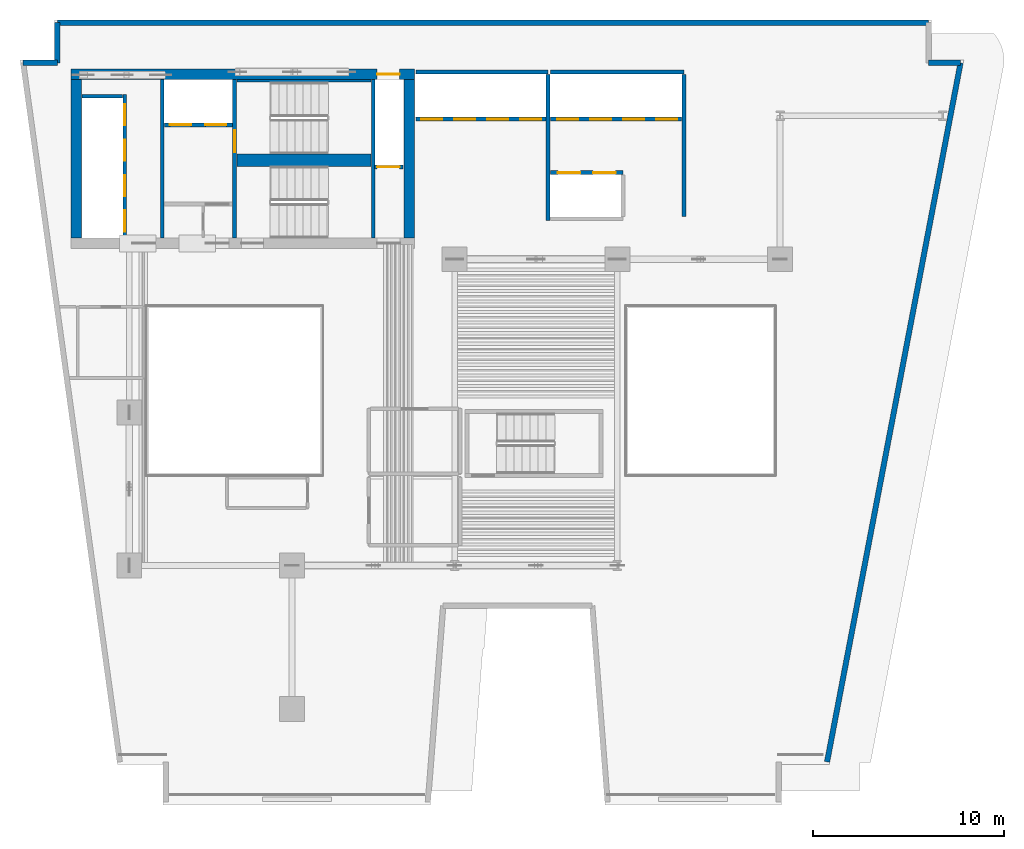
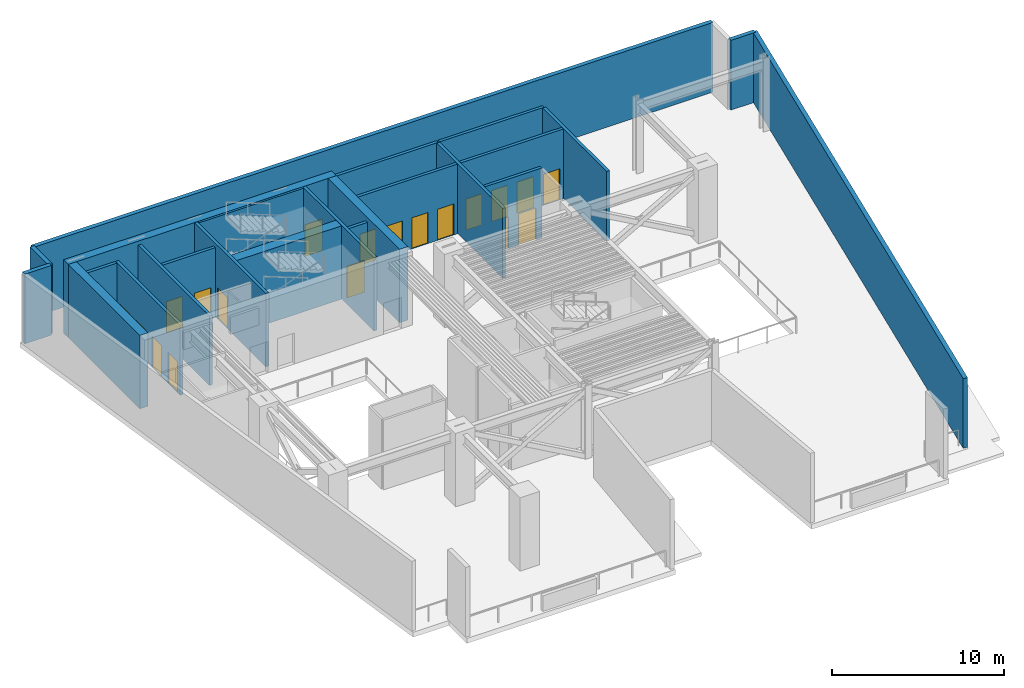
# One storey, part 4 of 8: 24 walls, 19 doors, 19 openings.
"""IFC4 building model written with IfcOpenShell, lengths in metres."""

from ifc_helpers import new_model, si_unit, direction, frame, frame_2d, origin, place, context, subcontext, project, spatial, rectangle, extrude, material, layer, layer_set, type_object, element, fill, save


model = new_model("IFC4")

# Units and contexts
model_context = context("Model", 3, precision=1e-05, world=origin(), true_north=direction((0.0, 1.0)))
body_context = subcontext(model_context, "Body", "Model", "MODEL_VIEW")
ifc_project = project(units=[si_unit("LENGTHUNIT", "METRE"), si_unit("AREAUNIT", "SQUARE_METRE"), si_unit("VOLUMEUNIT", "CUBIC_METRE"), si_unit("PLANEANGLEUNIT", "RADIAN"), si_unit("MASSUNIT", "GRAM", prefix="KILO")], contexts=[model_context])

# Site, building, storey
site_placement = place(None, origin())
site = spatial("IfcSite", under=ifc_project, at=site_placement, CompositionType="ELEMENT")
building_placement = place(site_placement, origin())
building = spatial("IfcBuilding", under=site, at=building_placement, Name="Caeloran Harvest Quay", CompositionType="ELEMENT")
storey_placement = place(building_placement, frame((0.0, 0.0, 106.199951171875)))
storey = spatial("IfcBuildingStorey", under=building, at=storey_placement, Name="L24", CompositionType="ELEMENT", Elevation=106.199951171875)

# Walls
ifc_material_1 = material(Name="Precast concrete C50/60", Category="concrete")
ifc_layer_1 = layer(ifc_material_1, 0.280029296875, Name="Precast concrete C50/60")
ifc_layer_set_1 = layer_set([ifc_layer_1], Name="Precast concrete C50/60")
wall_type_1 = type_object("IfcWallType", Name="ENV-WALL-EW-280", PredefinedType="STANDARD", material=ifc_layer_set_1)
wall_1_placement = place(storey_placement, frame((2.951171875, 41.260009765625, 0.0), z_axis=(0.0, 0.0, 1.0), x_axis=(1.0, 0.0, 0.0)))
element("IfcWall", 1, at=wall_1_placement, inside=storey, type_object=wall_type_1, Name="L24 Exterior Precast Concrete Facade Wall 4", PredefinedType="STANDARD", context=body_context, shape_type="SweptSolid", body=[
    extrude(rectangle(XDim=1.788818359375, YDim=0.280029296875, at=frame_2d((0.89453125, 0.0))), origin(), (0.0, 0.0, 1.0), 4.93994140625),
])
wall_2_placement = place(storey_placement, frame((4.739990234375, 41.260009765625, 0.0), z_axis=(0.0, 0.0, 1.0), x_axis=(0.0, 1.0, 0.0)))
element("IfcWall", 2, at=wall_2_placement, inside=storey, type_object=wall_type_1, Name="L24 Exterior Precast Concrete Facade Wall 5", PredefinedType="STANDARD", context=body_context, shape_type="SweptSolid", body=[
    extrude(rectangle(XDim=2.10009765625, YDim=0.280029296875, at=frame_2d((1.050048828125, 0.0))), origin(), (0.0, 0.0, 1.0), 4.93994140625),
])
wall_3_placement = place(storey_placement, frame((4.739990234375, 43.360107421875, 0.0), z_axis=(0.0, 0.0, 1.0), x_axis=(1.0, 0.0, 0.0)))
element("IfcWall", 3, at=wall_3_placement, inside=storey, type_object=wall_type_1, Name="L24 Exterior Precast Concrete Facade Wall 6", PredefinedType="STANDARD", context=body_context, shape_type="SweptSolid", body=[
    extrude(rectangle(XDim=45.52001953125, YDim=0.280029296875, at=frame_2d((22.760009765625, 0.0))), origin(), (0.0, 0.0, 1.0), 4.93994140625),
])
wall_4_placement = place(storey_placement, frame((50.260009765625, 41.260009765625, 0.0), z_axis=(0.0, 0.0, 1.0), x_axis=(1.0, 0.0, 0.0)))
element("IfcWall", 4, at=wall_4_placement, inside=storey, type_object=wall_type_1, Name="L24 Exterior Precast Concrete Facade Wall 8", PredefinedType="STANDARD", context=body_context, shape_type="SweptSolid", body=[
    extrude(rectangle(XDim=1.669677734375, YDim=0.280029296875, at=frame_2d((0.8349609375, 0.0))), origin(), (0.0, 0.0, 1.0), 4.93994140625),
])
wall_5_placement = place(storey_placement, frame((51.9296875, 41.260009765625, 0.0), z_axis=(0.0, 0.0, 1.0), x_axis=(-0.18759004207, -0.982247410847, 0.0)))
element("IfcWall", 5, at=wall_5_placement, inside=storey, type_object=wall_type_1, Name="L24 Exterior Precast Concrete Facade Wall 9", PredefinedType="STANDARD", context=body_context, shape_type="SweptSolid", body=[
    extrude(rectangle(XDim=37.18017578125, YDim=0.280029296875, at=frame_2d((18.590087890625, 0.0))), origin(), (0.0, 0.0, 1.0), 4.93994140625),
])

# Wall, openings, doors
ifc_material_2 = material(Name="Concrete C50/60", Category="concrete")
ifc_layer_2 = layer(ifc_material_2, 0.199951171875, Name="Concrete C50/60")
ifc_layer_set_2 = layer_set([ifc_layer_2], Name="Concrete C50/60")
wall_type_2 = type_object("IfcWallType", Name="INT-WALL-SW-200", PredefinedType="PARTITIONING", material=ifc_layer_set_2)
wall_6_placement = place(storey_placement, frame((8.260009765625, 32.1201171875, 0.0), z_axis=(0.0, 0.0, 1.0), x_axis=(0.0, 1.0, 0.0)))
wall_6 = element("IfcWall", 6, at=wall_6_placement, inside=storey, type_object=wall_type_2, Name="L24 Bank 3 Lift Shaft Wall", PredefinedType="PARTITIONING", context=body_context, shape_type="SweptSolid", body=[
    extrude(rectangle(XDim=7.5, YDim=0.199951171875, at=frame_2d((3.75, 0.0))), origin(), (0.0, 0.0, 1.0), 4.93994140625),
])
opening_1_placement = place(wall_6_placement, frame((0.330078125, 0.0, 0.0)))
opening_1 = element("IfcOpeningElement", 7, at=opening_1_placement, cuts=wall_6, Name="Opening LD-01", PredefinedType="OPENING", context=body_context, shape_type="SweptSolid", body=[
    extrude(rectangle(XDim=1.10009765625, YDim=2.199951171875, at=frame_2d((0.550048828125, 1.10009765625))), frame((0.0, 0.10986328125, 0.0), z_axis=(0.0, -1.0, 0.0), x_axis=(1.0, 0.0, 0.0)), (0.0, 0.0, 1.0), 0.219970703125),
])
opening_2_placement = place(wall_6_placement, frame((2.179931640625, 0.0, 0.0)))
opening_2 = element("IfcOpeningElement", 8, at=opening_2_placement, cuts=wall_6, Name="Opening LD-01", PredefinedType="OPENING", context=body_context, shape_type="SweptSolid", body=[
    extrude(rectangle(XDim=1.10009765625, YDim=2.199951171875, at=frame_2d((0.550048828125, 1.10009765625))), frame((0.0, 0.10986328125, 0.0), z_axis=(0.0, -1.0, 0.0), x_axis=(1.0, 0.0, 0.0)), (0.0, 0.0, 1.0), 0.219970703125),
])
opening_3_placement = place(wall_6_placement, frame((4.030029296875, 0.0, 0.0)))
opening_3 = element("IfcOpeningElement", 9, at=opening_3_placement, cuts=wall_6, Name="Opening LD-01", PredefinedType="OPENING", context=body_context, shape_type="SweptSolid", body=[
    extrude(rectangle(XDim=1.10009765625, YDim=2.199951171875, at=frame_2d((0.550048828125, 1.10009765625))), frame((0.0, 0.10986328125, 0.0), z_axis=(0.0, -1.0, 0.0), x_axis=(1.0, 0.0, 0.0)), (0.0, 0.0, 1.0), 0.219970703125),
])
opening_4_placement = place(wall_6_placement, frame((5.8798828125, 0.0, 0.0)))
opening_4 = element("IfcOpeningElement", 10, at=opening_4_placement, cuts=wall_6, Name="Opening LD-01", PredefinedType="OPENING", context=body_context, shape_type="SweptSolid", body=[
    extrude(rectangle(XDim=1.10009765625, YDim=2.199951171875, at=frame_2d((0.550048828125, 1.10009765625))), frame((0.0, 0.10986328125, 0.0), z_axis=(0.0, -1.0, 0.0), x_axis=(1.0, 0.0, 0.0)), (0.0, 0.0, 1.0), 0.219970703125),
])
ifc_material_3 = material(Name="Stainless Steel Grade 316", Category="steel")
door_type_1 = type_object("IfcDoorType", Name="INTDOOR-LD-01", OperationType="NOTDEFINED", PredefinedType="DOOR", material=ifc_material_3)
door_1_placement = place(opening_1_placement, origin())
door_1 = element("IfcDoor", 11, at=door_1_placement, inside=storey, type_object=door_type_1, Name="Lift P3-1 Sliding Landing Door (L24)", OperationType="DOUBLE_DOOR_SLIDING", OverallHeight=2.199951171875, OverallWidth=1.10009765625, PredefinedType="DOOR", context=body_context, shape_type="SweptSolid", body=[
    extrude(rectangle(XDim=1.10009765625, YDim=2.199951171875, at=frame_2d((0.550048828125, 1.10009765625))), frame((0.0, 0.02490234375, 0.0), z_axis=(0.0, -1.0, 0.0), x_axis=(1.0, 0.0, 0.0)), (0.0, 0.0, 1.0), 0.050048828125),
])
fill(opening_1, door_1)
door_2_placement = place(opening_2_placement, origin())
door_2 = element("IfcDoor", 12, at=door_2_placement, inside=storey, type_object=door_type_1, Name="Lift P3-2 Sliding Landing Door (L24)", OperationType="DOUBLE_DOOR_SLIDING", OverallHeight=2.199951171875, OverallWidth=1.10009765625, PredefinedType="DOOR", context=body_context, shape_type="SweptSolid", body=[
    extrude(rectangle(XDim=1.10009765625, YDim=2.199951171875, at=frame_2d((0.550048828125, 1.10009765625))), frame((0.0, 0.02490234375, 0.0), z_axis=(0.0, -1.0, 0.0), x_axis=(1.0, 0.0, 0.0)), (0.0, 0.0, 1.0), 0.050048828125),
])
fill(opening_2, door_2)
door_3_placement = place(opening_3_placement, origin())
door_3 = element("IfcDoor", 13, at=door_3_placement, inside=storey, type_object=door_type_1, Name="Lift P3-3 Sliding Landing Door (L24)", OperationType="DOUBLE_DOOR_SLIDING", OverallHeight=2.199951171875, OverallWidth=1.10009765625, PredefinedType="DOOR", context=body_context, shape_type="SweptSolid", body=[
    extrude(rectangle(XDim=1.10009765625, YDim=2.199951171875, at=frame_2d((0.550048828125, 1.10009765625))), frame((0.0, 0.02490234375, 0.0), z_axis=(0.0, -1.0, 0.0), x_axis=(1.0, 0.0, 0.0)), (0.0, 0.0, 1.0), 0.050048828125),
])
fill(opening_3, door_3)
door_4_placement = place(opening_4_placement, origin())
door_4 = element("IfcDoor", 14, at=door_4_placement, inside=storey, type_object=door_type_1, Name="Lift P3-4 Sliding Landing Door (L24)", OperationType="DOUBLE_DOOR_SLIDING", OverallHeight=2.199951171875, OverallWidth=1.10009765625, PredefinedType="DOOR", context=body_context, shape_type="SweptSolid", body=[
    extrude(rectangle(XDim=1.10009765625, YDim=2.199951171875, at=frame_2d((0.550048828125, 1.10009765625))), frame((0.0, 0.02490234375, 0.0), z_axis=(0.0, -1.0, 0.0), x_axis=(1.0, 0.0, 0.0)), (0.0, 0.0, 1.0), 0.050048828125),
])
fill(opening_4, door_4)

# Walls
wall_7_placement = place(storey_placement, frame((6.02001953125, 39.52001953125, 0.0), z_axis=(0.0, 0.0, 1.0), x_axis=(1.0, 0.0, 0.0)))
element("IfcWall", 15, at=wall_7_placement, inside=storey, type_object=wall_type_2, Name="L24 Bank 3 Lift Shaft North End Wall", PredefinedType="PARTITIONING", context=body_context, shape_type="SweptSolid", body=[
    extrude(rectangle(XDim=2.119873046875, YDim=0.199951171875, at=frame_2d((1.06005859375, 0.0))), origin(), (0.0, 0.0, 1.0), 4.93994140625),
])
wall_8_placement = place(storey_placement, frame((10.219970703125, 32.1201171875, 0.0), z_axis=(0.0, 0.0, 1.0), x_axis=(0.0, 1.0, 0.0)))
element("IfcWall", 16, at=wall_8_placement, inside=storey, type_object=wall_type_2, Name="L24 Core Lobby Compartment Wall", PredefinedType="PARTITIONING", context=body_context, shape_type="SweptSolid", body=[
    extrude(rectangle(XDim=8.259765625, YDim=0.199951171875, at=frame_2d((4.1298828125, 0.0))), origin(), (0.0, 0.0, 1.0), 4.93994140625),
])

# Wall, openings, doors
wall_9_placement = place(storey_placement, frame((10.340087890625, 38.02001953125, 0.0), z_axis=(0.0, 0.0, 1.0), x_axis=(1.0, 0.0, 0.0)))
wall_9 = element("IfcWall", 17, at=wall_9_placement, inside=storey, type_object=wall_type_2, Name="L24 Firefighting Lift Shaft Wall", PredefinedType="PARTITIONING", context=body_context, shape_type="SweptSolid", body=[
    extrude(rectangle(XDim=3.539794921875, YDim=0.199951171875, at=frame_2d((1.77001953125, 0.0))), origin(), (0.0, 0.0, 1.0), 4.93994140625),
])
opening_5_placement = place(wall_9_placement, frame((0.284912109375, 0.0, 0.0)))
opening_5 = element("IfcOpeningElement", 18, at=opening_5_placement, cuts=wall_9, Name="Opening LD-01", PredefinedType="OPENING", context=body_context, shape_type="SweptSolid", body=[
    extrude(rectangle(XDim=1.10009765625, YDim=2.199951171875, at=frame_2d((0.550048828125, 1.10009765625))), frame((0.0, 0.10986328125, 0.0), z_axis=(0.0, -1.0, 0.0), x_axis=(1.0, 0.0, 0.0)), (0.0, 0.0, 1.0), 0.219970703125),
])
opening_6_placement = place(wall_9_placement, frame((2.135009765625, 0.0, 0.0)))
opening_6 = element("IfcOpeningElement", 19, at=opening_6_placement, cuts=wall_9, Name="Opening LD-01", PredefinedType="OPENING", context=body_context, shape_type="SweptSolid", body=[
    extrude(rectangle(XDim=1.10009765625, YDim=2.199951171875, at=frame_2d((0.550048828125, 1.10009765625))), frame((0.0, 0.10986328125, 0.0), z_axis=(0.0, -1.0, 0.0), x_axis=(1.0, 0.0, 0.0)), (0.0, 0.0, 1.0), 0.219970703125),
])
door_5_placement = place(opening_5_placement, origin())
door_5 = element("IfcDoor", 20, at=door_5_placement, inside=storey, type_object=door_type_1, Name="Lift FF-1 Sliding Landing Door (L24)", OperationType="DOUBLE_DOOR_SLIDING", OverallHeight=2.199951171875, OverallWidth=1.10009765625, PredefinedType="DOOR", context=body_context, shape_type="SweptSolid", body=[
    extrude(rectangle(XDim=1.10009765625, YDim=2.199951171875, at=frame_2d((0.550048828125, 1.10009765625))), frame((0.0, 0.02490234375, 0.0), z_axis=(0.0, -1.0, 0.0), x_axis=(1.0, 0.0, 0.0)), (0.0, 0.0, 1.0), 0.050048828125),
])
fill(opening_5, door_5)
door_6_placement = place(opening_6_placement, origin())
door_6 = element("IfcDoor", 21, at=door_6_placement, inside=storey, type_object=door_type_1, Name="Lift FF-2 Sliding Landing Door (L24)", OperationType="DOUBLE_DOOR_SLIDING", OverallHeight=2.199951171875, OverallWidth=1.10009765625, PredefinedType="DOOR", context=body_context, shape_type="SweptSolid", body=[
    extrude(rectangle(XDim=1.10009765625, YDim=2.199951171875, at=frame_2d((0.550048828125, 1.10009765625))), frame((0.0, 0.02490234375, 0.0), z_axis=(0.0, -1.0, 0.0), x_axis=(1.0, 0.0, 0.0)), (0.0, 0.0, 1.0), 0.050048828125),
])
fill(opening_6, door_6)

# Wall, opening, door
wall_10_placement = place(storey_placement, frame((21.300048828125, 35.820068359375, 0.0), z_axis=(0.0, 0.0, 1.0), x_axis=(1.0, 0.0, 0.0)))
wall_10 = element("IfcWall", 22, at=wall_10_placement, inside=storey, type_object=wall_type_2, Name="L24 Service Lift SV-2 Shaft Wall", PredefinedType="PARTITIONING", context=body_context, shape_type="SweptSolid", body=[
    extrude(rectangle(XDim=1.5, YDim=0.199951171875, at=frame_2d((0.75, 0.0))), origin(), (0.0, 0.0, 1.0), 4.93994140625),
])
opening_7_placement = place(wall_10_placement, frame((0.14501953125, 0.0, 0.0)))
opening_7 = element("IfcOpeningElement", 23, at=opening_7_placement, cuts=wall_10, Name="Opening LD-02", PredefinedType="OPENING", context=body_context, shape_type="SweptSolid", body=[
    extrude(rectangle(XDim=1.179931640625, YDim=2.25, at=frame_2d((0.58984375, 1.125))), frame((0.0, 0.10986328125, 0.0), z_axis=(0.0, -1.0, 0.0), x_axis=(1.0, 0.0, 0.0)), (0.0, 0.0, 1.0), 0.219970703125),
])
door_type_2 = type_object("IfcDoorType", Name="INTDOOR-LD-02", OperationType="NOTDEFINED", PredefinedType="DOOR", material=ifc_material_3)
door_7_placement = place(opening_7_placement, origin())
door_7 = element("IfcDoor", 24, at=door_7_placement, inside=storey, type_object=door_type_2, Name="Lift SV-2 Sliding Landing Door (L24)", OperationType="DOUBLE_DOOR_SLIDING", OverallHeight=2.25, OverallWidth=1.179931640625, PredefinedType="DOOR", context=body_context, shape_type="SweptSolid", body=[
    extrude(rectangle(XDim=1.179931640625, YDim=2.25, at=frame_2d((0.58984375, 1.125))), frame((0.0, 0.02490234375, 0.0), z_axis=(0.0, -1.0, 0.0), x_axis=(1.0, 0.0, 0.0)), (0.0, 0.0, 1.0), 0.050048828125),
])
fill(opening_7, door_7)

# Walls
wall_11_placement = place(storey_placement, frame((23.469970703125, 40.780029296875, 0.0), z_axis=(0.0, 0.0, 1.0), x_axis=(1.0, 0.0, 0.0)))
element("IfcWall", 25, at=wall_11_placement, inside=storey, type_object=wall_type_2, Name="L24 Bank 1 Lift Shaft North Wall", PredefinedType="PARTITIONING", context=body_context, shape_type="SweptSolid", body=[
    extrude(rectangle(XDim=6.909912109375, YDim=0.199951171875, at=frame_2d((3.455078125, 0.0))), origin(), (0.0, 0.0, 1.0), 4.93994140625),
])
wall_12_placement = place(storey_placement, frame((30.3798828125, 33.02001953125, 0.0), z_axis=(0.0, 0.0, 1.0), x_axis=(0.0, 1.0, 0.0)))
element("IfcWall", 26, at=wall_12_placement, inside=storey, type_object=wall_type_2, Name="L24 Bank 1 Lift Shaft East Wall", PredefinedType="PARTITIONING", context=body_context, shape_type="SweptSolid", body=[
    extrude(rectangle(XDim=7.639892578125, YDim=0.199951171875, at=frame_2d((3.81982421875, 0.0))), origin(), (0.0, 0.0, 1.0), 4.93994140625),
])

# Wall, openings, doors
wall_13_placement = place(storey_placement, frame((23.469970703125, 38.320068359375, 0.0), z_axis=(0.0, 0.0, 1.0), x_axis=(1.0, 0.0, 0.0)))
wall_13 = element("IfcWall", 27, at=wall_13_placement, inside=storey, type_object=wall_type_2, Name="L24 Bank 1 Lift Landing Front Wall", PredefinedType="PARTITIONING", context=body_context, shape_type="SweptSolid", body=[
    extrude(rectangle(XDim=6.7900390625, YDim=0.199951171875, at=frame_2d((3.39501953125, 0.0))), origin(), (0.0, 0.0, 1.0), 4.93994140625),
])
opening_8_placement = place(wall_13_placement, frame((0.2900390625, 0.0, 0.0)))
opening_8 = element("IfcOpeningElement", 28, at=opening_8_placement, cuts=wall_13, Name="Opening LD-01", PredefinedType="OPENING", context=body_context, shape_type="SweptSolid", body=[
    extrude(rectangle(XDim=1.10009765625, YDim=2.199951171875, at=frame_2d((0.550048828125, 1.10009765625))), frame((0.0, 0.10986328125, 0.0), z_axis=(0.0, -1.0, 0.0), x_axis=(1.0, 0.0, 0.0)), (0.0, 0.0, 1.0), 0.219970703125),
])
opening_9_placement = place(wall_13_placement, frame((2.010009765625, 0.0, 0.0)))
opening_9 = element("IfcOpeningElement", 29, at=opening_9_placement, cuts=wall_13, Name="Opening LD-01", PredefinedType="OPENING", context=body_context, shape_type="SweptSolid", body=[
    extrude(rectangle(XDim=1.10009765625, YDim=2.199951171875, at=frame_2d((0.550048828125, 1.10009765625))), frame((0.0, 0.10986328125, 0.0), z_axis=(0.0, -1.0, 0.0), x_axis=(1.0, 0.0, 0.0)), (0.0, 0.0, 1.0), 0.219970703125),
])
opening_10_placement = place(wall_13_placement, frame((3.72998046875, 0.0, 0.0)))
opening_10 = element("IfcOpeningElement", 30, at=opening_10_placement, cuts=wall_13, Name="Opening LD-01", PredefinedType="OPENING", context=body_context, shape_type="SweptSolid", body=[
    extrude(rectangle(XDim=1.10009765625, YDim=2.199951171875, at=frame_2d((0.550048828125, 1.10009765625))), frame((0.0, 0.10986328125, 0.0), z_axis=(0.0, -1.0, 0.0), x_axis=(1.0, 0.0, 0.0)), (0.0, 0.0, 1.0), 0.219970703125),
])
opening_11_placement = place(wall_13_placement, frame((5.449951171875, 0.0, 0.0)))
opening_11 = element("IfcOpeningElement", 31, at=opening_11_placement, cuts=wall_13, Name="Opening LD-01", PredefinedType="OPENING", context=body_context, shape_type="SweptSolid", body=[
    extrude(rectangle(XDim=1.10009765625, YDim=2.199951171875, at=frame_2d((0.550048828125, 1.10009765625))), frame((0.0, 0.10986328125, 0.0), z_axis=(0.0, -1.0, 0.0), x_axis=(1.0, 0.0, 0.0)), (0.0, 0.0, 1.0), 0.219970703125),
])
door_8_placement = place(opening_8_placement, origin())
door_8 = element("IfcDoor", 32, at=door_8_placement, inside=storey, type_object=door_type_1, Name="Lift P1-1 Sliding Landing Door (L24)", OperationType="DOUBLE_DOOR_SLIDING", OverallHeight=2.199951171875, OverallWidth=1.10009765625, PredefinedType="DOOR", context=body_context, shape_type="SweptSolid", body=[
    extrude(rectangle(XDim=1.10009765625, YDim=2.199951171875, at=frame_2d((0.550048828125, 1.10009765625))), frame((0.0, 0.02490234375, 0.0), z_axis=(0.0, -1.0, 0.0), x_axis=(1.0, 0.0, 0.0)), (0.0, 0.0, 1.0), 0.050048828125),
])
fill(opening_8, door_8)
door_9_placement = place(opening_9_placement, origin())
door_9 = element("IfcDoor", 33, at=door_9_placement, inside=storey, type_object=door_type_1, Name="Lift P1-2 Sliding Landing Door (L24)", OperationType="DOUBLE_DOOR_SLIDING", OverallHeight=2.199951171875, OverallWidth=1.10009765625, PredefinedType="DOOR", context=body_context, shape_type="SweptSolid", body=[
    extrude(rectangle(XDim=1.10009765625, YDim=2.199951171875, at=frame_2d((0.550048828125, 1.10009765625))), frame((0.0, 0.02490234375, 0.0), z_axis=(0.0, -1.0, 0.0), x_axis=(1.0, 0.0, 0.0)), (0.0, 0.0, 1.0), 0.050048828125),
])
fill(opening_9, door_9)
door_10_placement = place(opening_10_placement, origin())
door_10 = element("IfcDoor", 34, at=door_10_placement, inside=storey, type_object=door_type_1, Name="Lift P1-3 Sliding Landing Door (L24)", OperationType="DOUBLE_DOOR_SLIDING", OverallHeight=2.199951171875, OverallWidth=1.10009765625, PredefinedType="DOOR", context=body_context, shape_type="SweptSolid", body=[
    extrude(rectangle(XDim=1.10009765625, YDim=2.199951171875, at=frame_2d((0.550048828125, 1.10009765625))), frame((0.0, 0.02490234375, 0.0), z_axis=(0.0, -1.0, 0.0), x_axis=(1.0, 0.0, 0.0)), (0.0, 0.0, 1.0), 0.050048828125),
])
fill(opening_10, door_10)
door_11_placement = place(opening_11_placement, origin())
door_11 = element("IfcDoor", 35, at=door_11_placement, inside=storey, type_object=door_type_1, Name="Lift P1-4 Sliding Landing Door (L24)", OperationType="DOUBLE_DOOR_SLIDING", OverallHeight=2.199951171875, OverallWidth=1.10009765625, PredefinedType="DOOR", context=body_context, shape_type="SweptSolid", body=[
    extrude(rectangle(XDim=1.10009765625, YDim=2.199951171875, at=frame_2d((0.550048828125, 1.10009765625))), frame((0.0, 0.02490234375, 0.0), z_axis=(0.0, -1.0, 0.0), x_axis=(1.0, 0.0, 0.0)), (0.0, 0.0, 1.0), 0.050048828125),
])
fill(opening_11, door_11)

# Walls
wall_14_placement = place(storey_placement, frame((30.5, 40.780029296875, 0.0), z_axis=(0.0, 0.0, 1.0), x_axis=(1.0, 0.0, 0.0)))
element("IfcWall", 36, at=wall_14_placement, inside=storey, type_object=wall_type_2, Name="L24 Bank 2 Lift Shaft North Wall", PredefinedType="PARTITIONING", context=body_context, shape_type="SweptSolid", body=[
    extrude(rectangle(XDim=6.97998046875, YDim=0.199951171875, at=frame_2d((3.489990234375, 0.0))), origin(), (0.0, 0.0, 1.0), 4.93994140625),
])
wall_15_placement = place(storey_placement, frame((37.47998046875, 33.239990234375, 0.0), z_axis=(0.0, 0.0, 1.0), x_axis=(0.0, 1.0, 0.0)))
element("IfcWall", 37, at=wall_15_placement, inside=storey, type_object=wall_type_2, Name="L24 Bank 2 Lift Shaft East Wall", PredefinedType="PARTITIONING", context=body_context, shape_type="SweptSolid", body=[
    extrude(rectangle(XDim=7.419921875, YDim=0.199951171875, at=frame_2d((3.7099609375, 0.0))), origin(), (0.0, 0.0, 1.0), 4.93994140625),
])

# Wall, openings, doors
wall_16_placement = place(storey_placement, frame((30.5, 38.320068359375, 0.0), z_axis=(0.0, 0.0, 1.0), x_axis=(1.0, 0.0, 0.0)))
wall_16 = element("IfcWall", 38, at=wall_16_placement, inside=storey, type_object=wall_type_2, Name="L24 Bank 2 Lift Landing Front Wall", PredefinedType="PARTITIONING", context=body_context, shape_type="SweptSolid", body=[
    extrude(rectangle(XDim=6.860107421875, YDim=0.199951171875, at=frame_2d((3.43017578125, 0.0))), origin(), (0.0, 0.0, 1.0), 4.93994140625),
])
opening_12_placement = place(wall_16_placement, frame((0.360107421875, 0.0, 0.0)))
opening_12 = element("IfcOpeningElement", 39, at=opening_12_placement, cuts=wall_16, Name="Opening LD-01", PredefinedType="OPENING", context=body_context, shape_type="SweptSolid", body=[
    extrude(rectangle(XDim=1.10009765625, YDim=2.199951171875, at=frame_2d((0.550048828125, 1.10009765625))), frame((0.0, 0.10986328125, 0.0), z_axis=(0.0, -1.0, 0.0), x_axis=(1.0, 0.0, 0.0)), (0.0, 0.0, 1.0), 0.219970703125),
])
opening_13_placement = place(wall_16_placement, frame((2.080078125, 0.0, 0.0)))
opening_13 = element("IfcOpeningElement", 40, at=opening_13_placement, cuts=wall_16, Name="Opening LD-01", PredefinedType="OPENING", context=body_context, shape_type="SweptSolid", body=[
    extrude(rectangle(XDim=1.10009765625, YDim=2.199951171875, at=frame_2d((0.550048828125, 1.10009765625))), frame((0.0, 0.10986328125, 0.0), z_axis=(0.0, -1.0, 0.0), x_axis=(1.0, 0.0, 0.0)), (0.0, 0.0, 1.0), 0.219970703125),
])
opening_14_placement = place(wall_16_placement, frame((3.800048828125, 0.0, 0.0)))
opening_14 = element("IfcOpeningElement", 41, at=opening_14_placement, cuts=wall_16, Name="Opening LD-01", PredefinedType="OPENING", context=body_context, shape_type="SweptSolid", body=[
    extrude(rectangle(XDim=1.10009765625, YDim=2.199951171875, at=frame_2d((0.550048828125, 1.10009765625))), frame((0.0, 0.10986328125, 0.0), z_axis=(0.0, -1.0, 0.0), x_axis=(1.0, 0.0, 0.0)), (0.0, 0.0, 1.0), 0.219970703125),
])
opening_15_placement = place(wall_16_placement, frame((5.52001953125, 0.0, 0.0)))
opening_15 = element("IfcOpeningElement", 42, at=opening_15_placement, cuts=wall_16, Name="Opening LD-01", PredefinedType="OPENING", context=body_context, shape_type="SweptSolid", body=[
    extrude(rectangle(XDim=1.10009765625, YDim=2.199951171875, at=frame_2d((0.550048828125, 1.10009765625))), frame((0.0, 0.10986328125, 0.0), z_axis=(0.0, -1.0, 0.0), x_axis=(1.0, 0.0, 0.0)), (0.0, 0.0, 1.0), 0.219970703125),
])
door_12_placement = place(opening_12_placement, origin())
door_12 = element("IfcDoor", 43, at=door_12_placement, inside=storey, type_object=door_type_1, Name="Lift P2-1 Sliding Landing Door (L24)", OperationType="DOUBLE_DOOR_SLIDING", OverallHeight=2.199951171875, OverallWidth=1.10009765625, PredefinedType="DOOR", context=body_context, shape_type="SweptSolid", body=[
    extrude(rectangle(XDim=1.10009765625, YDim=2.199951171875, at=frame_2d((0.550048828125, 1.10009765625))), frame((0.0, 0.02490234375, 0.0), z_axis=(0.0, -1.0, 0.0), x_axis=(1.0, 0.0, 0.0)), (0.0, 0.0, 1.0), 0.050048828125),
])
fill(opening_12, door_12)
door_13_placement = place(opening_13_placement, origin())
door_13 = element("IfcDoor", 44, at=door_13_placement, inside=storey, type_object=door_type_1, Name="Lift P2-2 Sliding Landing Door (L24)", OperationType="DOUBLE_DOOR_SLIDING", OverallHeight=2.199951171875, OverallWidth=1.10009765625, PredefinedType="DOOR", context=body_context, shape_type="SweptSolid", body=[
    extrude(rectangle(XDim=1.10009765625, YDim=2.199951171875, at=frame_2d((0.550048828125, 1.10009765625))), frame((0.0, 0.02490234375, 0.0), z_axis=(0.0, -1.0, 0.0), x_axis=(1.0, 0.0, 0.0)), (0.0, 0.0, 1.0), 0.050048828125),
])
fill(opening_13, door_13)
door_14_placement = place(opening_14_placement, origin())
door_14 = element("IfcDoor", 45, at=door_14_placement, inside=storey, type_object=door_type_1, Name="Lift P2-3 Sliding Landing Door (L24)", OperationType="DOUBLE_DOOR_SLIDING", OverallHeight=2.199951171875, OverallWidth=1.10009765625, PredefinedType="DOOR", context=body_context, shape_type="SweptSolid", body=[
    extrude(rectangle(XDim=1.10009765625, YDim=2.199951171875, at=frame_2d((0.550048828125, 1.10009765625))), frame((0.0, 0.02490234375, 0.0), z_axis=(0.0, -1.0, 0.0), x_axis=(1.0, 0.0, 0.0)), (0.0, 0.0, 1.0), 0.050048828125),
])
fill(opening_14, door_14)
door_15_placement = place(opening_15_placement, origin())
door_15 = element("IfcDoor", 46, at=door_15_placement, inside=storey, type_object=door_type_1, Name="Lift P2-4 Sliding Landing Door (L24)", OperationType="DOUBLE_DOOR_SLIDING", OverallHeight=2.199951171875, OverallWidth=1.10009765625, PredefinedType="DOOR", context=body_context, shape_type="SweptSolid", body=[
    extrude(rectangle(XDim=1.10009765625, YDim=2.199951171875, at=frame_2d((0.550048828125, 1.10009765625))), frame((0.0, 0.02490234375, 0.0), z_axis=(0.0, -1.0, 0.0), x_axis=(1.0, 0.0, 0.0)), (0.0, 0.0, 1.0), 0.050048828125),
])
fill(opening_15, door_15)

wall_17_placement = place(storey_placement, frame((30.5, 35.530029296875, 0.0), z_axis=(0.0, 0.0, 1.0), x_axis=(1.0, 0.0, 0.0)))
wall_17 = element("IfcWall", 47, at=wall_17_placement, inside=storey, type_object=wall_type_2, Name="L24 Shuttle Lift Landing Front Wall", PredefinedType="PARTITIONING", context=body_context, shape_type="SweptSolid", body=[
    extrude(rectangle(XDim=3.800048828125, YDim=0.199951171875, at=frame_2d((1.89990234375, 0.0))), origin(), (0.0, 0.0, 1.0), 4.93994140625),
])
opening_16_placement = place(wall_17_placement, frame((0.385009765625, 0.0, 0.0)))
opening_16 = element("IfcOpeningElement", 48, at=opening_16_placement, cuts=wall_17, Name="Opening LD-02", PredefinedType="OPENING", context=body_context, shape_type="SweptSolid", body=[
    extrude(rectangle(XDim=1.179931640625, YDim=2.25, at=frame_2d((0.58984375, 1.125))), frame((0.0, 0.10986328125, 0.0), z_axis=(0.0, -1.0, 0.0), x_axis=(1.0, 0.0, 0.0)), (0.0, 0.0, 1.0), 0.219970703125),
])
opening_17_placement = place(wall_17_placement, frame((2.235107421875, 0.0, 0.0)))
opening_17 = element("IfcOpeningElement", 49, at=opening_17_placement, cuts=wall_17, Name="Opening LD-02", PredefinedType="OPENING", context=body_context, shape_type="SweptSolid", body=[
    extrude(rectangle(XDim=1.179931640625, YDim=2.25, at=frame_2d((0.58984375, 1.125))), frame((0.0, 0.10986328125, 0.0), z_axis=(0.0, -1.0, 0.0), x_axis=(1.0, 0.0, 0.0)), (0.0, 0.0, 1.0), 0.219970703125),
])
door_16_placement = place(opening_16_placement, origin())
door_16 = element("IfcDoor", 50, at=door_16_placement, inside=storey, type_object=door_type_2, Name="Lift SH-1 Sliding Landing Door (L24)", OperationType="DOUBLE_DOOR_SLIDING", OverallHeight=2.25, OverallWidth=1.179931640625, PredefinedType="DOOR", context=body_context, shape_type="SweptSolid", body=[
    extrude(rectangle(XDim=1.179931640625, YDim=2.25, at=frame_2d((0.58984375, 1.125))), frame((0.0, 0.02490234375, 0.0), z_axis=(0.0, -1.0, 0.0), x_axis=(1.0, 0.0, 0.0)), (0.0, 0.0, 1.0), 0.050048828125),
])
fill(opening_16, door_16)
door_17_placement = place(opening_17_placement, origin())
door_17 = element("IfcDoor", 51, at=door_17_placement, inside=storey, type_object=door_type_2, Name="Lift SH-2 Sliding Landing Door (L24)", OperationType="DOUBLE_DOOR_SLIDING", OverallHeight=2.25, OverallWidth=1.179931640625, PredefinedType="DOOR", context=body_context, shape_type="SweptSolid", body=[
    extrude(rectangle(XDim=1.179931640625, YDim=2.25, at=frame_2d((0.58984375, 1.125))), frame((0.0, 0.02490234375, 0.0), z_axis=(0.0, -1.0, 0.0), x_axis=(1.0, 0.0, 0.0)), (0.0, 0.0, 1.0), 0.050048828125),
])
fill(opening_17, door_17)

# Wall, opening, door
ifc_material_4 = material(Name="Concrete C80/95", Category="concrete")
ifc_layer_3 = layer(ifc_material_4, 0.550048828125, Name="Concrete C80/95")
ifc_layer_set_3 = layer_set([ifc_layer_3], Name="Concrete C80/95")
wall_type_3 = type_object("IfcWallType", Name="STR-WALL-CW-550", PredefinedType="SHEAR", material=ifc_layer_set_3)
wall_18_placement = place(storey_placement, frame((5.449951171875, 40.675048828125, 0.0), z_axis=(0.0, 0.0, 1.0), x_axis=(1.0, 0.0, 0.0)))
wall_18 = element("IfcWall", 52, at=wall_18_placement, inside=storey, type_object=wall_type_3, Name="L24 Rear Core Shear Wall N", PredefinedType="SHEAR", context=body_context, shape_type="SweptSolid", body=[
    extrude(rectangle(XDim=17.949951171875, YDim=0.550048828125, at=frame_2d((8.97509765625, 0.0))), origin(), (0.0, 0.0, 1.0), 5.199951171875),
])
opening_18_placement = place(wall_18_placement, frame((15.9951171875, 0.0, 0.0)))
opening_18 = element("IfcOpeningElement", 53, at=opening_18_placement, cuts=wall_18, Name="Opening LD-02", PredefinedType="OPENING", context=body_context, shape_type="SweptSolid", body=[
    extrude(rectangle(XDim=1.179931640625, YDim=2.25, at=frame_2d((0.58984375, 1.125))), frame((0.0, 0.28515625, 0.0), z_axis=(0.0, -1.0, 0.0), x_axis=(1.0, 0.0, 0.0)), (0.0, 0.0, 1.0), 0.570068359375),
])
door_18_placement = place(opening_18_placement, origin())
door_18 = element("IfcDoor", 54, at=door_18_placement, inside=storey, type_object=door_type_2, Name="Lift SV-1 Sliding Landing Door (L24)", OperationType="DOUBLE_DOOR_SLIDING", OverallHeight=2.25, OverallWidth=1.179931640625, PredefinedType="DOOR", context=body_context, shape_type="SweptSolid", body=[
    extrude(rectangle(XDim=1.179931640625, YDim=2.25, at=frame_2d((0.58984375, 1.125))), frame((0.0, 0.02490234375, 0.0), z_axis=(0.0, -1.0, 0.0), x_axis=(1.0, 0.0, 0.0)), (0.0, 0.0, 1.0), 0.050048828125),
])
fill(opening_18, door_18)

# Walls
for number, where, z_axis, x_axis, name in (
    (55, (5.72509765625, 32.10009765625, 0.0), (0.0, 0.0, 1.0), (0.0, 1.0, 0.0), "L24 Rear Core Shear Wall W"),
    (56, (23.125, 32.10009765625, 0.0), (0.0, 0.0, 1.0), (0.0, 1.0, 0.0), "L24 Rear Core Shear Wall E"),
):
    element("IfcWall", number, at=place(storey_placement, frame(where, z_axis=z_axis, x_axis=x_axis)), inside=storey, type_object=wall_type_3, Name=name, PredefinedType="SHEAR", context=body_context, shape_type="SweptSolid", body=[
        extrude(rectangle(XDim=8.2998046875, YDim=0.550048828125, at=frame_2d((4.14990234375, 0.0))), origin(), (0.0, 0.0, 1.0), 5.199951171875),
    ])
ifc_material_5 = material(Name="Concrete C60/75", Category="concrete")
ifc_layer_4 = layer(ifc_material_5, 0.64990234375, Name="Concrete C60/75")
ifc_layer_set_4 = layer_set([ifc_layer_4], Name="Concrete C60/75")
wall_type_4 = type_object("IfcWallType", Name="STR-WALL-CW-650", PredefinedType="SHEAR", material=ifc_layer_set_4)
wall_19_placement = place(storey_placement, frame((14.1201171875, 36.175048828125, 0.0), z_axis=(0.0, 0.0, 1.0), x_axis=(1.0, 0.0, 0.0)))
element("IfcWall", 57, at=wall_19_placement, inside=storey, type_object=wall_type_4, Name="L24 Core Stairs Dividing Shear Wall", PredefinedType="SHEAR", context=body_context, shape_type="SweptSolid", body=[
    extrude(rectangle(XDim=7.009765625, YDim=0.64990234375, at=frame_2d((3.5048828125, 0.0))), origin(), (0.0, 0.0, 1.0), 5.199951171875),
])
ifc_layer_5 = layer(ifc_material_5, 0.139892578125, Name="Concrete C60/75")
ifc_layer_set_5 = layer_set([ifc_layer_5], Name="Concrete C60/75")
wall_type_5 = type_object("IfcWallType", Name="STR-WALL-SW-140", PredefinedType="SHEAR", material=ifc_layer_set_5)
wall_20_placement = place(storey_placement, frame((14.1201171875, 40.320068359375, 0.0), z_axis=(0.0, 0.0, 1.0), x_axis=(1.0, 0.0, 0.0)))
element("IfcWall", 58, at=wall_20_placement, inside=storey, type_object=wall_type_5, Name="L24 Core Stair ST-C1 North Bearing Shear Wall", PredefinedType="SHEAR", context=body_context, shape_type="SweptSolid", body=[
    extrude(rectangle(XDim=7.009765625, YDim=0.139892578125, at=frame_2d((3.5048828125, 0.0))), origin(), (0.0, 0.0, 1.0), 5.199951171875),
])

# Wall, opening, door
ifc_layer_6 = layer(ifc_material_5, 0.199951171875, Name="Concrete C60/75")
ifc_layer_set_6 = layer_set([ifc_layer_6], Name="Concrete C60/75")
wall_type_6 = type_object("IfcWallType", Name="STR-WALL-SW-200", PredefinedType="SHEAR", material=ifc_layer_set_6)
wall_21_placement = place(storey_placement, frame((14.0, 32.1201171875, 0.0), z_axis=(0.0, 0.0, 1.0), x_axis=(0.0, 1.0, 0.0)))
wall_21 = element("IfcWall", 59, at=wall_21_placement, inside=storey, type_object=wall_type_6, Name="L24 Core Stair Shaft West Shear Wall", PredefinedType="SHEAR", context=body_context, shape_type="SweptSolid", body=[
    extrude(rectangle(XDim=8.259765625, YDim=0.199951171875, at=frame_2d((4.1298828125, 0.0))), origin(), (0.0, 0.0, 1.0), 5.199951171875),
])
opening_19_placement = place(wall_21_placement, frame((4.4599609375, 0.0, 0.0)))
opening_19 = element("IfcOpeningElement", 60, at=opening_19_placement, cuts=wall_21, Name="Opening SD-01", PredefinedType="OPENING", context=body_context, shape_type="SweptSolid", body=[
    extrude(rectangle(XDim=1.14990234375, YDim=2.199951171875, at=frame_2d((0.574951171875, 1.10009765625))), frame((0.0, 0.10986328125, 0.0), z_axis=(0.0, -1.0, 0.0), x_axis=(1.0, 0.0, 0.0)), (0.0, 0.0, 1.0), 0.219970703125),
])
ifc_material_6 = material(Name="Steel", Category="steel")
door_type_3 = type_object("IfcDoorType", Name="INTDOOR-SD-01", OperationType="NOTDEFINED", PredefinedType="DOOR", material=ifc_material_6)
door_19_placement = place(opening_19_placement, origin())
door_19 = element("IfcDoor", 61, at=door_19_placement, inside=storey, type_object=door_type_3, Name="L24 Protected Stair ST-C1 Exit Door", OperationType="SINGLE_SWING_LEFT", OverallHeight=2.199951171875, OverallWidth=1.14990234375, PredefinedType="DOOR", context=body_context, shape_type="SweptSolid", body=[
    extrude(rectangle(XDim=1.14990234375, YDim=2.199951171875, at=frame_2d((0.574951171875, 1.10009765625))), frame((0.0, 0.02490234375, 0.0), z_axis=(0.0, -1.0, 0.0), x_axis=(1.0, 0.0, 0.0)), (0.0, 0.0, 1.0), 0.050048828125),
])
fill(opening_19, door_19)

# Wall
wall_22_placement = place(storey_placement, frame((21.25, 32.1201171875, 0.0), z_axis=(0.0, 0.0, 1.0), x_axis=(0.0, 1.0, 0.0)))
element("IfcWall", 62, at=wall_22_placement, inside=storey, type_object=wall_type_6, Name="L24 Core Stair Shaft East Shear Wall", PredefinedType="SHEAR", context=body_context, shape_type="SweptSolid", body=[
    extrude(rectangle(XDim=8.259765625, YDim=0.199951171875, at=frame_2d((4.1298828125, 0.0))), origin(), (0.0, 0.0, 1.0), 5.199951171875),
])

save(model, "model.ifc")
